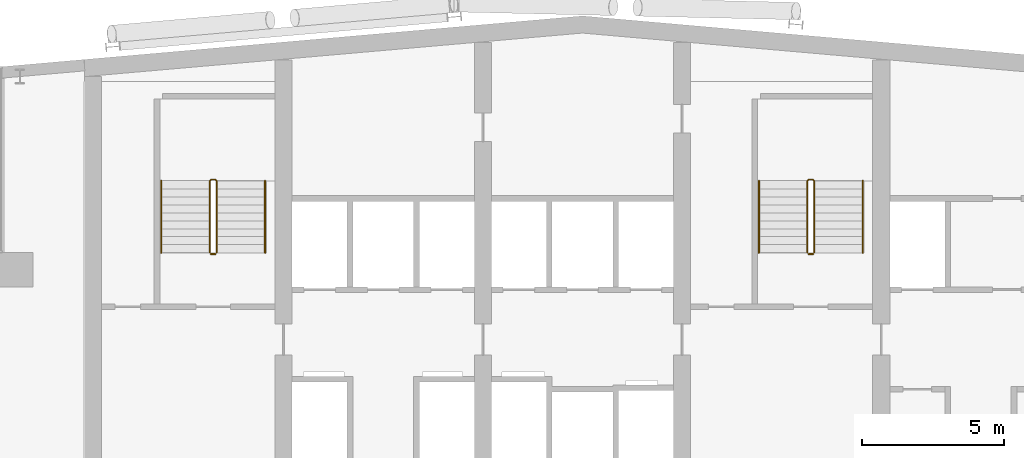
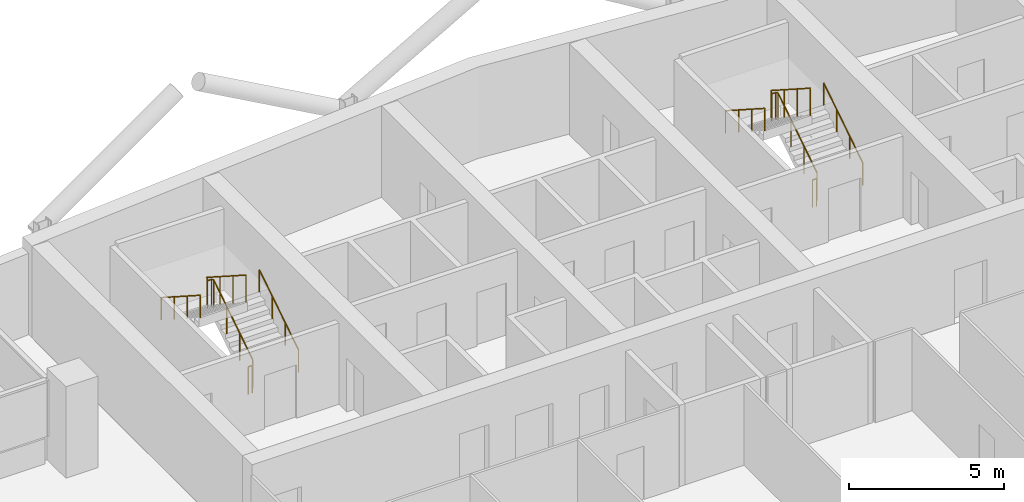
# One storey, part 27 of 27: 8 railings.
"""IFC4 building model written with IfcOpenShell, lengths in metres."""

from ifc_helpers import new_model, si_unit, direction, frame, origin, origin_2d, place, context, subcontext, project, spatial, circle, extrude, material, type_object, element, save


model = new_model("IFC4")

# Units and contexts
model_context = context("Model", 3, precision=1e-05, world=origin(), true_north=direction((0.0, 1.0)))
body_context = subcontext(model_context, "Body", "Model", "MODEL_VIEW")
ifc_project = project(units=[si_unit("LENGTHUNIT", "METRE"), si_unit("AREAUNIT", "SQUARE_METRE"), si_unit("VOLUMEUNIT", "CUBIC_METRE"), si_unit("PLANEANGLEUNIT", "RADIAN"), si_unit("MASSUNIT", "GRAM", prefix="KILO")], contexts=[model_context])

# Site, building, storey
site_placement = place(None, origin())
site = spatial("IfcSite", under=ifc_project, at=site_placement, CompositionType="ELEMENT")
building_placement = place(site_placement, origin())
building = spatial("IfcBuilding", under=site, at=building_placement, Name="Wharfspan Tower", CompositionType="ELEMENT")
storey_placement = place(building_placement, frame((0.0, 0.0, 210.699951)))
storey = spatial("IfcBuildingStorey", under=building, at=storey_placement, Name="L52", CompositionType="ELEMENT", Elevation=210.699951)

# Railings
ifc_material = material(Name="Steel S355J2", Category="steel")
railing_type_1 = type_object("IfcRailingType", Name="Stair guard 1100", PredefinedType="GUARDRAIL", material=ifc_material)
railing_1_placement = place(storey_placement, frame((27.649902, 42.0, 0.179932)))
element("IfcRailing", 1, at=railing_1_placement, inside=storey, type_object=railing_type_1, Name="L52 ST1 stair guard 1", PredefinedType="GUARDRAIL", context=body_context, shape_type="SweptSolid", body=[
    extrude(circle(Radius=0.023926, at=origin_2d()), frame((0.0, 0.0, 1.076172), z_axis=(0.0, 0.841163, 0.540782), x_axis=(-1.0, 0.0, 0.0)), (0.0, 0.0, 1.0), 2.99585),
    extrude(circle(Radius=0.023926, at=origin_2d()), frame((0.0, 2.52002, 2.696289), z_axis=(-0.705376, 0.708834, 0.0), x_axis=(-0.708834, -0.705376, 0.0)), (0.0, 0.0, 1.0), 0.070557),
    extrude(circle(Radius=0.023926, at=origin_2d()), frame((-0.049805, 2.570068, 2.696289), z_axis=(-1.0, 0.0, 0.0), x_axis=(0.0, -1.0, 0.0)), (0.0, 0.0, 1.0), 0.150146),
    extrude(circle(Radius=0.023926, at=origin_2d()), frame((-0.199951, 2.570068, 2.696289), z_axis=(-0.258848, -0.258848, 0.930589), x_axis=(0.707107, -0.707107, 0.0)), (0.0, 0.0, 1.0), 0.193359),
    extrude(circle(Radius=0.023926, at=origin_2d()), frame((-0.25, 2.52002, 2.875977), z_axis=(0.0, -0.841163, 0.540782), x_axis=(1.0, 0.0, 0.0)), (0.0, 0.0, 1.0), 2.99585),
    extrude(circle(Radius=0.020996, at=origin_2d()), origin(), (0.0, 0.0, 1.0), 1.052002),
    extrude(circle(Radius=0.020996, at=origin_2d()), frame((0.0, 0.840088, 0.540039)), (0.0, 0.0, 1.0), 1.052002),
    extrude(circle(Radius=0.020996, at=origin_2d()), frame((0.0, 1.679932, 1.080078)), (0.0, 0.0, 1.0), 1.052002),
    extrude(circle(Radius=0.020996, at=origin_2d()), frame((0.0, 2.52002, 1.620117)), (0.0, 0.0, 1.0), 1.052002),
    extrude(circle(Radius=0.020996, at=origin_2d()), frame((-0.049805, 2.570068, 1.620117)), (0.0, 0.0, 1.0), 1.052002),
    extrude(circle(Radius=0.020996, at=origin_2d()), frame((-0.199951, 2.570068, 1.620117)), (0.0, 0.0, 1.0), 1.052002),
    extrude(circle(Radius=0.020996, at=origin_2d()), frame((-0.25, 2.52002, 1.800049)), (0.0, 0.0, 1.0), 1.052002),
    extrude(circle(Radius=0.020996, at=origin_2d()), frame((-0.25, 1.679932, 2.340088)), (0.0, 0.0, 1.0), 1.052002),
    extrude(circle(Radius=0.020996, at=origin_2d()), frame((-0.25, 0.840088, 2.880127)), (0.0, 0.0, 1.0), 1.052002),
    extrude(circle(Radius=0.020996, at=origin_2d()), frame((-0.25, 0.0, 3.420166)), (0.0, 0.0, 1.0), 1.052002),
])
railing_2_placement = place(storey_placement, frame((27.600098, 41.949951, 0.0)))
element("IfcRailing", 2, at=railing_2_placement, inside=storey, type_object=railing_type_1, Name="L52 ST1 stair guard 2", PredefinedType="GUARDRAIL", context=body_context, shape_type="SweptSolid", body=[
    extrude(circle(Radius=0.023926, at=origin_2d()), frame((0.0, 0.0, 1.076172), z_axis=(-1.0, 0.0, 0.0), x_axis=(0.0, -1.0, 0.0)), (0.0, 0.0, 1.0), 0.150146),
    extrude(circle(Radius=0.020996, at=origin_2d()), origin(), (0.0, 0.0, 1.0), 1.052002),
    extrude(circle(Radius=0.020996, at=origin_2d()), frame((-0.150146, 0.0, 0.0)), (0.0, 0.0, 1.0), 1.052002),
])
railing_3_placement = place(storey_placement, frame((48.649902, 42.0, 0.179932)))
element("IfcRailing", 3, at=railing_3_placement, inside=storey, type_object=railing_type_1, Name="L52 ST2 stair guard 1", PredefinedType="GUARDRAIL", context=body_context, shape_type="SweptSolid", body=[
    extrude(circle(Radius=0.023926, at=origin_2d()), frame((0.0, 0.0, 1.076172), z_axis=(0.0, 0.841163, 0.540782), x_axis=(-1.0, 0.0, 0.0)), (0.0, 0.0, 1.0), 2.99585),
    extrude(circle(Radius=0.023926, at=origin_2d()), frame((0.0, 2.52002, 2.696289), z_axis=(-0.705376, 0.708834, 0.0), x_axis=(-0.708834, -0.705376, 0.0)), (0.0, 0.0, 1.0), 0.070557),
    extrude(circle(Radius=0.023926, at=origin_2d()), frame((-0.049805, 2.570068, 2.696289), z_axis=(-1.0, 0.0, 0.0), x_axis=(0.0, -1.0, 0.0)), (0.0, 0.0, 1.0), 0.150146),
    extrude(circle(Radius=0.023926, at=origin_2d()), frame((-0.199951, 2.570068, 2.696289), z_axis=(-0.258848, -0.258848, 0.930589), x_axis=(0.707107, -0.707107, 0.0)), (0.0, 0.0, 1.0), 0.193359),
    extrude(circle(Radius=0.023926, at=origin_2d()), frame((-0.25, 2.52002, 2.875977), z_axis=(0.0, -0.841163, 0.540782), x_axis=(1.0, 0.0, 0.0)), (0.0, 0.0, 1.0), 2.99585),
    extrude(circle(Radius=0.020996, at=origin_2d()), origin(), (0.0, 0.0, 1.0), 1.052002),
    extrude(circle(Radius=0.020996, at=origin_2d()), frame((0.0, 0.840088, 0.540039)), (0.0, 0.0, 1.0), 1.052002),
    extrude(circle(Radius=0.020996, at=origin_2d()), frame((0.0, 1.679932, 1.080078)), (0.0, 0.0, 1.0), 1.052002),
    extrude(circle(Radius=0.020996, at=origin_2d()), frame((0.0, 2.52002, 1.620117)), (0.0, 0.0, 1.0), 1.052002),
    extrude(circle(Radius=0.020996, at=origin_2d()), frame((-0.049805, 2.570068, 1.620117)), (0.0, 0.0, 1.0), 1.052002),
    extrude(circle(Radius=0.020996, at=origin_2d()), frame((-0.199951, 2.570068, 1.620117)), (0.0, 0.0, 1.0), 1.052002),
    extrude(circle(Radius=0.020996, at=origin_2d()), frame((-0.25, 2.52002, 1.800049)), (0.0, 0.0, 1.0), 1.052002),
    extrude(circle(Radius=0.020996, at=origin_2d()), frame((-0.25, 1.679932, 2.340088)), (0.0, 0.0, 1.0), 1.052002),
    extrude(circle(Radius=0.020996, at=origin_2d()), frame((-0.25, 0.840088, 2.880127)), (0.0, 0.0, 1.0), 1.052002),
    extrude(circle(Radius=0.020996, at=origin_2d()), frame((-0.25, 0.0, 3.420166)), (0.0, 0.0, 1.0), 1.052002),
])
railing_4_placement = place(storey_placement, frame((48.600098, 41.949951, 0.0)))
element("IfcRailing", 4, at=railing_4_placement, inside=storey, type_object=railing_type_1, Name="L52 ST2 stair guard 2", PredefinedType="GUARDRAIL", context=body_context, shape_type="SweptSolid", body=[
    extrude(circle(Radius=0.023926, at=origin_2d()), frame((0.0, 0.0, 1.076172), z_axis=(-1.0, 0.0, 0.0), x_axis=(0.0, -1.0, 0.0)), (0.0, 0.0, 1.0), 0.150146),
    extrude(circle(Radius=0.020996, at=origin_2d()), origin(), (0.0, 0.0, 1.0), 1.052002),
    extrude(circle(Radius=0.020996, at=origin_2d()), frame((-0.150146, 0.0, 0.0)), (0.0, 0.0, 1.0), 1.052002),
])
railing_type_2 = type_object("IfcRailingType", Name="Stair handrail 900", PredefinedType="HANDRAIL", material=ifc_material)
railing_5_placement = place(storey_placement, frame((29.350098, 42.0, 0.179932)))
element("IfcRailing", 5, at=railing_5_placement, inside=storey, type_object=railing_type_2, Name="L52 ST1 stair handrail 1", PredefinedType="HANDRAIL", context=body_context, shape_type="SweptSolid", body=[
    extrude(circle(Radius=0.023926, at=origin_2d()), frame((0.0, 0.0, 0.875977), z_axis=(0.0, 0.841163, 0.540782), x_axis=(-1.0, 0.0, 0.0)), (0.0, 0.0, 1.0), 2.99585),
    extrude(circle(Radius=0.020996, at=origin_2d()), origin(), (0.0, 0.0, 1.0), 0.851807),
    extrude(circle(Radius=0.020996, at=origin_2d()), frame((0.0, 0.840088, 0.540039)), (0.0, 0.0, 1.0), 0.851807),
    extrude(circle(Radius=0.020996, at=origin_2d()), frame((0.0, 1.679932, 1.080078)), (0.0, 0.0, 1.0), 0.851807),
    extrude(circle(Radius=0.020996, at=origin_2d()), frame((0.0, 2.52002, 1.620117)), (0.0, 0.0, 1.0), 0.851807),
])
railing_6_placement = place(storey_placement, frame((25.699951, 44.52002, 1.97998)))
element("IfcRailing", 6, at=railing_6_placement, inside=storey, type_object=railing_type_2, Name="L52 ST1 stair handrail 2", PredefinedType="HANDRAIL", context=body_context, shape_type="SweptSolid", body=[
    extrude(circle(Radius=0.023926, at=origin_2d()), frame((0.0, 0.0, 0.875977), z_axis=(0.0, -0.841163, 0.540782), x_axis=(1.0, 0.0, 0.0)), (0.0, 0.0, 1.0), 2.99585),
    extrude(circle(Radius=0.020996, at=origin_2d()), origin(), (0.0, 0.0, 1.0), 0.851807),
    extrude(circle(Radius=0.020996, at=origin_2d()), frame((0.0, -0.840088, 0.540039)), (0.0, 0.0, 1.0), 0.851807),
    extrude(circle(Radius=0.020996, at=origin_2d()), frame((0.0, -1.679932, 1.080078)), (0.0, 0.0, 1.0), 0.851807),
    extrude(circle(Radius=0.020996, at=origin_2d()), frame((0.0, -2.52002, 1.620117)), (0.0, 0.0, 1.0), 0.851807),
])
railing_7_placement = place(storey_placement, frame((50.350098, 42.0, 0.179932)))
element("IfcRailing", 7, at=railing_7_placement, inside=storey, type_object=railing_type_2, Name="L52 ST2 stair handrail 1", PredefinedType="HANDRAIL", context=body_context, shape_type="SweptSolid", body=[
    extrude(circle(Radius=0.023926, at=origin_2d()), frame((0.0, 0.0, 0.875977), z_axis=(0.0, 0.841163, 0.540782), x_axis=(-1.0, 0.0, 0.0)), (0.0, 0.0, 1.0), 2.99585),
    extrude(circle(Radius=0.020996, at=origin_2d()), origin(), (0.0, 0.0, 1.0), 0.851807),
    extrude(circle(Radius=0.020996, at=origin_2d()), frame((0.0, 0.840088, 0.540039)), (0.0, 0.0, 1.0), 0.851807),
    extrude(circle(Radius=0.020996, at=origin_2d()), frame((0.0, 1.679932, 1.080078)), (0.0, 0.0, 1.0), 0.851807),
    extrude(circle(Radius=0.020996, at=origin_2d()), frame((0.0, 2.52002, 1.620117)), (0.0, 0.0, 1.0), 0.851807),
])
railing_8_placement = place(storey_placement, frame((46.699951, 44.52002, 1.97998)))
element("IfcRailing", 8, at=railing_8_placement, inside=storey, type_object=railing_type_2, Name="L52 ST2 stair handrail 2", PredefinedType="HANDRAIL", context=body_context, shape_type="SweptSolid", body=[
    extrude(circle(Radius=0.023926, at=origin_2d()), frame((0.0, 0.0, 0.875977), z_axis=(0.0, -0.841163, 0.540782), x_axis=(1.0, 0.0, 0.0)), (0.0, 0.0, 1.0), 2.99585),
    extrude(circle(Radius=0.020996, at=origin_2d()), origin(), (0.0, 0.0, 1.0), 0.851807),
    extrude(circle(Radius=0.020996, at=origin_2d()), frame((0.0, -0.840088, 0.540039)), (0.0, 0.0, 1.0), 0.851807),
    extrude(circle(Radius=0.020996, at=origin_2d()), frame((0.0, -1.679932, 1.080078)), (0.0, 0.0, 1.0), 0.851807),
    extrude(circle(Radius=0.020996, at=origin_2d()), frame((0.0, -2.52002, 1.620117)), (0.0, 0.0, 1.0), 0.851807),
])

save(model, "model.ifc")
